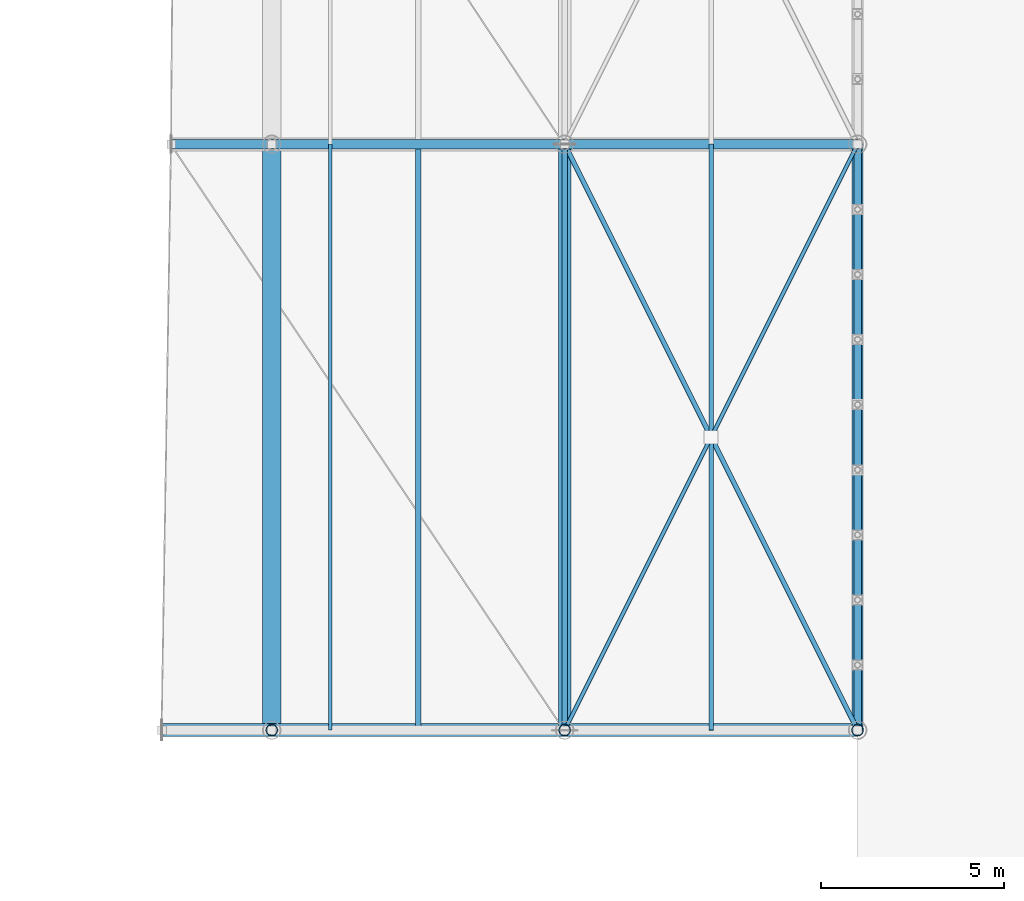
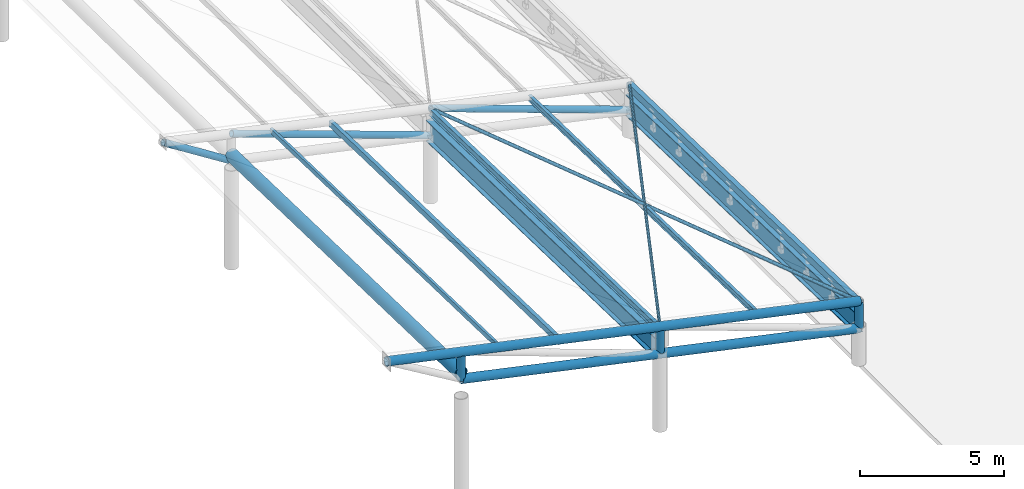
# One storey, part 20 of 54: 15 members, 4 beams.
"""IFC4 building model written with IfcOpenShell, lengths in metres."""

from ifc_helpers import new_model, si_unit, direction, frame, origin, origin_2d, place, context, subcontext, project, spatial, hollow_rectangle, hollow_circle, i_section, extrude, material, material_profile, profile_set, type_object, element, save


model = new_model("IFC4")

# Units and contexts
model_context = context("Model", 3, precision=1e-05, world=origin(), true_north=direction((0.0, 1.0)))
body_context = subcontext(model_context, "Body", "Model", "MODEL_VIEW")
ifc_project = project(units=[si_unit("LENGTHUNIT", "METRE"), si_unit("AREAUNIT", "SQUARE_METRE"), si_unit("VOLUMEUNIT", "CUBIC_METRE"), si_unit("PLANEANGLEUNIT", "RADIAN"), si_unit("MASSUNIT", "GRAM", prefix="KILO")], contexts=[model_context])

# Site, building, storey
site_placement = place(None, origin())
site = spatial("IfcSite", under=ifc_project, at=site_placement, CompositionType="ELEMENT")
building_placement = place(site_placement, origin())
building = spatial("IfcBuilding", under=site, at=building_placement, Name="Haebicheon Civic Stadium", CompositionType="ELEMENT")
storey_placement = place(building_placement, frame((0.0, 0.0, 22.800048828125)))
storey = spatial("IfcBuildingStorey", under=building, at=storey_placement, Name="L06", CompositionType="ELEMENT", Elevation=22.800048828125)

# Members
ifc_material_1 = material(Name="White painted steel SM490", Category="steel")
ifc_material_profile_1 = material_profile(ifc_material_1, hollow_circle(Radius=0.05712890625, WallThickness=0.006103515625, at=origin_2d()), Name="CHS-114.3x6.0")
ifc_profile_set_1 = profile_set([ifc_material_profile_1], Name="White painted steel SM490")
member_type_1 = type_object("IfcMemberType", Name="BRC-CHS114", PredefinedType="BRACE", material=ifc_profile_set_1)
for number, where, z_axis, x_axis, name in (
    (1, (208.0, 72.0, 2.18994140625), (-0.444044098451, -0.888088196902, 0.11884524877), (0.894427191, -0.4472135955, 0.0), "BR114 diagonal brace CAN-COMM canopy bay 1 B1"),
    (2, (203.968017578125, 63.93603515625, 3.27001953125), (-0.444044098451, -0.888088196902, 0.11884524877), (0.894427191, -0.4472135955, 0.0), "BR114 diagonal brace CAN-COMM canopy bay 1 B2"),
):
    element("IfcMember", number, at=place(storey_placement, frame(where, z_axis=z_axis, x_axis=x_axis)), inside=storey, type_object=member_type_1, material=ifc_profile_set_1, Name=name, PredefinedType="BRACE", context=body_context, shape_type="SweptSolid", body=[
        extrude(hollow_circle(Radius=0.05712890625, WallThickness=0.006103515625, at=origin_2d()), origin(), (0.0, 0.0, 1.0), 8.93603515625),
    ])
ifc_material_2 = material(Name="White painted steel SM490", Category="steel")
ifc_material_profile_2 = material_profile(ifc_material_2, hollow_circle(Radius=0.06982421875, WallThickness=0.006591796875, at=origin_2d()), Name="CHS-139.8x6.6")
ifc_profile_set_2 = profile_set([ifc_material_profile_2], Name="White painted steel SM490")
member_type_2 = type_object("IfcMemberType", Name="BRC-CHS139", PredefinedType="BRACE", material=ifc_profile_set_2)
member_1_placement = place(storey_placement, frame((208.0, 56.0, 2.612060546875), z_axis=(-0.446041198596, 0.892082397192, 0.072361908317), x_axis=(-0.894427191, -0.4472135955, 0.0)))
element("IfcMember", 3, at=member_1_placement, inside=storey, type_object=member_type_2, material=ifc_profile_set_2, Name="BR139 diagonal brace CAN-COMM canopy bay 1 A", PredefinedType="BRACE", context=body_context, shape_type="SweptSolid", body=[
    extrude(hollow_circle(Radius=0.06982421875, WallThickness=0.006591796875, at=origin_2d()), origin(), (0.0, 0.0, 1.0), 17.935546875),
])
ifc_material_3 = material(Name="White painted steel SM490", Category="steel")
ifc_material_profile_3 = material_profile(ifc_material_3, hollow_circle(Radius=0.1337890625, WallThickness=0.011962890625, at=origin_2d()), Name="CHS-267.4x12.0")
ifc_profile_set_3 = profile_set([ifc_material_profile_3], Name="White painted steel SM490")
member_type_3 = type_object("IfcMemberType", Name="BRC-CHS267", PredefinedType="BRACE", material=ifc_profile_set_3)
member_2_placement = place(storey_placement, frame((191.882080078125, 72.0, 4.554931640625), z_axis=(-0.844539757698, 0.0, 0.535492854918), x_axis=(0.0, -1.0, 0.0)))
element("IfcMember", 4, at=member_2_placement, inside=storey, type_object=member_type_3, material=ifc_profile_set_3, Name="BR267 diagonal brace CAN-COMM truss 2 tip", PredefinedType="BRACE", context=body_context, shape_type="SweptSolid", body=[
    extrude(hollow_circle(Radius=0.1337890625, WallThickness=0.011962890625, at=origin_2d()), origin(), (0.0, 0.0, 1.0), 3.109375),
])
for number, where, z_axis, x_axis, name in (
    (5, (208.0, 72.0, 1.0400390625), (-0.9412665544, 0.0, 0.3376644393), (0.0, -1.0, 0.0), "BR267 diagonal brace CAN-COMM truss 2 D1"),
    (6, (200.0, 72.0, 2.760009765625), (-0.9412665544, 0.0, 0.3376644393), (0.0, -1.0, 0.0), "BR267 diagonal brace CAN-COMM truss 2 D2"),
):
    element("IfcMember", number, at=place(storey_placement, frame(where, z_axis=z_axis, x_axis=x_axis)), inside=storey, type_object=member_type_3, material=ifc_profile_set_3, Name=name, PredefinedType="BRACE", context=body_context, shape_type="SweptSolid", body=[
        extrude(hollow_circle(Radius=0.1337890625, WallThickness=0.011962890625, at=origin_2d()), origin(), (0.0, 0.0, 1.0), 8.499267578125),
    ])
ifc_material_4 = material(Name="White painted steel SM490", Category="steel")
ifc_material_profile_4 = material_profile(ifc_material_4, hollow_circle(Radius=0.177734375, WallThickness=0.01611328125, at=origin_2d()), Name="CHS-355.6x16.0")
ifc_profile_set_4 = profile_set([ifc_material_profile_4], Name="White painted steel SM490")
member_type_4 = type_object("IfcMemberType", Name="CHD-CHS355", PredefinedType="CHORD", material=ifc_profile_set_4)
member_3_placement = place(storey_placement, frame((208.0, 56.0, 2.612060546875), z_axis=(-0.977659527113, 0.0, 0.210194788339), x_axis=(0.0, -1.0, 0.0)))
element("IfcMember", 7, at=member_3_placement, inside=storey, type_object=member_type_4, material=ifc_profile_set_4, Name="CH355 truss chord CAN-COMM 1 top", PredefinedType="CHORD", context=body_context, shape_type="SweptSolid", body=[
    extrude(hollow_circle(Radius=0.177734375, WallThickness=0.01611328125, at=origin_2d()), origin(), (0.0, 0.0, 1.0), 19.43408203125),
])
member_4_placement = place(storey_placement, frame((208.0, 56.0, 1.4619140625), z_axis=(-0.977659849808, 0.0, 0.210193287411), x_axis=(0.0, -1.0, 0.0)))
element("IfcMember", 8, at=member_4_placement, inside=storey, type_object=member_type_4, material=ifc_profile_set_4, Name="CH355 truss chord CAN-COMM 1 bottom", PredefinedType="CHORD", context=body_context, shape_type="SweptSolid", body=[
    extrude(hollow_circle(Radius=0.177734375, WallThickness=0.01611328125, at=origin_2d()), origin(), (0.0, 0.0, 1.0), 16.36572265625),
])
ifc_material_5 = material(Name="White painted steel SM490", Category="steel")
ifc_material_profile_5 = material_profile(ifc_material_5, hollow_rectangle(XDim=0.10009765625, YDim=0.199951171875, WallThickness=0.008056640625, at=origin_2d()), Name="RHS-200x100x8.0")
ifc_profile_set_5 = profile_set([ifc_material_profile_5], Name="White painted steel SM490")
member_type_5 = type_object("IfcMemberType", Name="PRL-RHS200", PredefinedType="RAFTER", material=ifc_profile_set_5)
member_5_placement = place(storey_placement, frame((193.60009765625, 56.0, 5.640869140625), z_axis=(0.0, 0.99965256686, -0.026358026665), x_axis=(-1.0, 0.0, 0.0)))
element("IfcMember", 9, at=member_5_placement, inside=storey, type_object=member_type_5, material=ifc_profile_set_5, Name="CAN-COMM canopy purlin bay 1 (90%)", PredefinedType="RAFTER", context=body_context, shape_type="SweptSolid", body=[
    extrude(hollow_rectangle(XDim=0.10009765625, YDim=0.199951171875, WallThickness=0.008056640625, at=origin_2d()), origin(), (0.0, 0.0, 1.0), 16.005615234375),
])
ifc_material_6 = material(Name="White painted steel SM490", Category="steel")
ifc_material_profile_6 = material_profile(ifc_material_6, hollow_rectangle(XDim=0.14990234375, YDim=0.25, WallThickness=0.010009765625, at=origin_2d()), Name="RHS-250x150x10.0")
ifc_profile_set_6 = profile_set([ifc_material_profile_6], Name="White painted steel SM490")
member_type_6 = type_object("IfcMemberType", Name="PRL-RHS250", PredefinedType="PURLIN", material=ifc_profile_set_6)
member_6_placement = place(storey_placement, frame((196.0, 56.0, 5.099853515625), z_axis=(0.0, 0.99965256686, -0.026358026665), x_axis=(-1.0, 0.0, 0.0)))
element("IfcMember", 10, at=member_6_placement, inside=storey, type_object=member_type_6, material=ifc_profile_set_6, Name="CAN-COMM canopy purlin bay 1 (75%)", PredefinedType="PURLIN", context=body_context, shape_type="SweptSolid", body=[
    extrude(hollow_rectangle(XDim=0.14990234375, YDim=0.25, WallThickness=0.010009765625, at=origin_2d()), origin(), (0.0, 0.0, 1.0), 16.005615234375),
])
ifc_material_7 = material(Name="White painted steel SM490", Category="steel")
ifc_material_profile_7 = material_profile(ifc_material_7, i_section(OverallWidth=0.125, OverallDepth=0.25, WebThickness=0.006103515625, FlangeThickness=0.009033203125, at=origin_2d()), Name="H-250x125x6x9")
ifc_profile_set_7 = profile_set([ifc_material_profile_7], Name="White painted steel SM490")
member_type_7 = type_object("IfcMemberType", Name="PRL-ST-H250", PredefinedType="PURLIN", material=ifc_profile_set_7)
member_7_placement = place(storey_placement, frame((204.0, 56.0, 3.3798828125), z_axis=(0.0, 0.99965256686, -0.026358026665), x_axis=(-1.0, 0.0, 0.0)))
element("IfcMember", 11, at=member_7_placement, inside=storey, type_object=member_type_7, material=ifc_profile_set_7, Name="CAN-COMM canopy purlin bay 1 (25%)", PredefinedType="PURLIN", context=body_context, shape_type="SweptSolid", body=[
    extrude(i_section(OverallWidth=0.125, OverallDepth=0.25, WebThickness=0.006103515625, FlangeThickness=0.009033203125, at=origin_2d()), origin(), (0.0, 0.0, 1.0), 16.005615234375),
])
ifc_material_8 = material(Name="White painted steel SM490", Category="steel")
ifc_material_profile_8 = material_profile(ifc_material_8, i_section(OverallWidth=0.14990234375, OverallDepth=0.300048828125, WebThickness=0.006591796875, FlangeThickness=0.009033203125, at=origin_2d()), Name="H-300x150x6.5x9")
ifc_profile_set_8 = profile_set([ifc_material_profile_8], Name="White painted steel SM490")
member_type_8 = type_object("IfcMemberType", Name="PRL-ST-H300", PredefinedType="PURLIN", material=ifc_profile_set_8)
member_8_placement = place(storey_placement, frame((200.0, 56.0, 4.21484375), z_axis=(0.0, 0.99965256686, -0.026358026665), x_axis=(-1.0, 0.0, 0.0)))
element("IfcMember", 12, at=member_8_placement, inside=storey, type_object=member_type_8, material=ifc_profile_set_8, Name="CAN-COMM canopy purlin bay 1 (50%)", PredefinedType="PURLIN", context=body_context, shape_type="SweptSolid", body=[
    extrude(i_section(OverallWidth=0.14990234375, OverallDepth=0.300048828125, WebThickness=0.006591796875, FlangeThickness=0.009033203125, at=origin_2d()), origin(), (0.0, 0.0, 1.0), 16.005615234375),
])

# Beams
ifc_material_9 = material(Name="White painted steel SM490", Category="steel")
ifc_material_profile_9 = material_profile(ifc_material_9, hollow_circle(Radius=0.25390625, WallThickness=0.02490234375, at=origin_2d()), Name="CHS-508.0x25.0")
ifc_profile_set_9 = profile_set([ifc_material_profile_9], Name="White painted steel SM490")
beam_type_1 = type_object("IfcBeamType", Name="RB-ST-CHS508", PredefinedType="USERDEFINED", material=ifc_profile_set_9)
beam_1_placement = place(storey_placement, frame((192.0, 56.0, 5.15185546875), z_axis=(0.0, 0.99965256686, -0.026358026665), x_axis=(-1.0, 0.0, 0.0)))
element("IfcBeam", 13, at=beam_1_placement, inside=storey, type_object=beam_type_1, material=ifc_profile_set_9, Name="CAN-COMM polygonal ring beam RB-PIR bay 1", ObjectType="RING BEAM", PredefinedType="USERDEFINED", context=body_context, shape_type="SweptSolid", body=[
    extrude(hollow_circle(Radius=0.25390625, WallThickness=0.02490234375, at=origin_2d()), origin(), (0.0, 0.0, 1.0), 16.005615234375),
])
ifc_material_10 = material(Name="White painted steel SM490", Category="steel")
ifc_material_profile_10 = material_profile(ifc_material_10, i_section(OverallWidth=0.35009765625, OverallDepth=0.89990234375, WebThickness=0.01806640625, FlangeThickness=0.031982421875, at=origin_2d()), Name="H-900x350x18x32")
ifc_profile_set_10 = profile_set([ifc_material_profile_10], Name="White painted steel SM490")
beam_type_2 = type_object("IfcBeamType", Name="RB-ST-H900A", PredefinedType="USERDEFINED", material=ifc_profile_set_10)
beam_2_placement = place(storey_placement, frame((200.0, 56.0, 3.431884765625), z_axis=(0.0, 0.99965256686, -0.026358026665), x_axis=(-1.0, 0.0, 0.0)))
element("IfcBeam", 14, at=beam_2_placement, inside=storey, type_object=beam_type_2, material=ifc_profile_set_10, Name="CAN-COMM polygonal ring beam RB-PIV bay 1", ObjectType="RING BEAM", PredefinedType="USERDEFINED", context=body_context, shape_type="SweptSolid", body=[
    extrude(i_section(OverallWidth=0.35009765625, OverallDepth=0.89990234375, WebThickness=0.01806640625, FlangeThickness=0.031982421875, at=origin_2d()), origin(), (0.0, 0.0, 1.0), 16.005615234375),
])
ifc_material_11 = material(Name="White painted steel SM490", Category="steel")
ifc_material_profile_11 = material_profile(ifc_material_11, i_section(OverallWidth=0.300048828125, OverallDepth=0.89990234375, WebThickness=0.01611328125, FlangeThickness=0.028076171875, at=origin_2d()), Name="H-900x300x16x28")
ifc_profile_set_11 = profile_set([ifc_material_profile_11], Name="White painted steel SM490")
beam_type_3 = type_object("IfcBeamType", Name="RB-ST-H900B", PredefinedType="USERDEFINED", material=ifc_profile_set_11)
beam_3_placement = place(storey_placement, frame((208.0, 56.0, 1.7119140625), z_axis=(0.0, 0.99965256686, -0.026358026665), x_axis=(-1.0, 0.0, 0.0)))
element("IfcBeam", 15, at=beam_3_placement, inside=storey, type_object=beam_type_3, material=ifc_profile_set_11, Name="CAN-COMM polygonal ring beam RB-BCK bay 1", ObjectType="RING BEAM", PredefinedType="USERDEFINED", context=body_context, shape_type="SweptSolid", body=[
    extrude(i_section(OverallWidth=0.300048828125, OverallDepth=0.89990234375, WebThickness=0.01611328125, FlangeThickness=0.028076171875, at=origin_2d()), origin(), (0.0, 0.0, 1.0), 16.005615234375),
])
ifc_material_12 = material(Name="White painted steel SM490", Category="steel")
ifc_material_profile_12 = material_profile(ifc_material_12, hollow_rectangle(XDim=0.199951171875, YDim=0.300048828125, WallThickness=0.011962890625, at=origin_2d()), Name="RHS-300x200x12.0")
ifc_profile_set_12 = profile_set([ifc_material_profile_12], Name="White painted steel SM490")
beam_type_4 = type_object("IfcBeamType", Name="RB-ST-RHS300", PredefinedType="USERDEFINED", material=ifc_profile_set_12)
beam_4_placement = place(storey_placement, frame((208.0, 56.0, 2.511962890625), z_axis=(0.0, 0.999652164832, -0.026373269546), x_axis=(-1.0, 0.0, 0.0)))
element("IfcBeam", 16, at=beam_4_placement, inside=storey, type_object=beam_type_4, material=ifc_profile_set_12, Name="CAN-COMM polygonal ring beam RB-TOP bay 1", ObjectType="RING BEAM", PredefinedType="USERDEFINED", context=body_context, shape_type="SweptSolid", body=[
    extrude(hollow_rectangle(XDim=0.199951171875, YDim=0.300048828125, WallThickness=0.011962890625, at=origin_2d()), origin(), (0.0, 0.0, 1.0), 16.005615234375),
])

# Members
ifc_material_13 = material(Name="White painted steel SM490", Category="steel")
ifc_material_profile_13 = material_profile(ifc_material_13, hollow_circle(Radius=0.1591796875, WallThickness=0.013916015625, at=origin_2d()), Name="CHS-318.5x14.0")
ifc_profile_set_13 = profile_set([ifc_material_profile_13], Name="White painted steel SM490")
member_type_9 = type_object("IfcMemberType", Name="STR-CHS318", PredefinedType="STRUT", material=ifc_profile_set_13)
for number, where, z_axis, x_axis, name in (
    (17, (208.0, 56.0, 1.4619140625), (0.0, 0.0, 1.0), (1.0, 0.0, 0.0), "ST318 web strut CAN-COMM truss 1 VB"),
    (18, (200.0, 56.0, 3.181884765625), (0.0, 0.0, 1.0), (1.0, 0.0, 0.0), "ST318 web strut CAN-COMM truss 1 VP"),
    (19, (192.0, 56.0, 4.90185546875), (0.0, 0.0, 1.0), (1.0, 0.0, 0.0), "ST318 web strut CAN-COMM truss 1 VR"),
):
    element("IfcMember", number, at=place(storey_placement, frame(where, z_axis=z_axis, x_axis=x_axis)), inside=storey, type_object=member_type_9, material=ifc_profile_set_13, Name=name, PredefinedType="STRUT", context=body_context, shape_type="SweptSolid", body=[
        extrude(hollow_circle(Radius=0.1591796875, WallThickness=0.013916015625, at=origin_2d()), origin(), (0.0, 0.0, 1.0), 1.150146484375),
    ])

save(model, "model.ifc")
